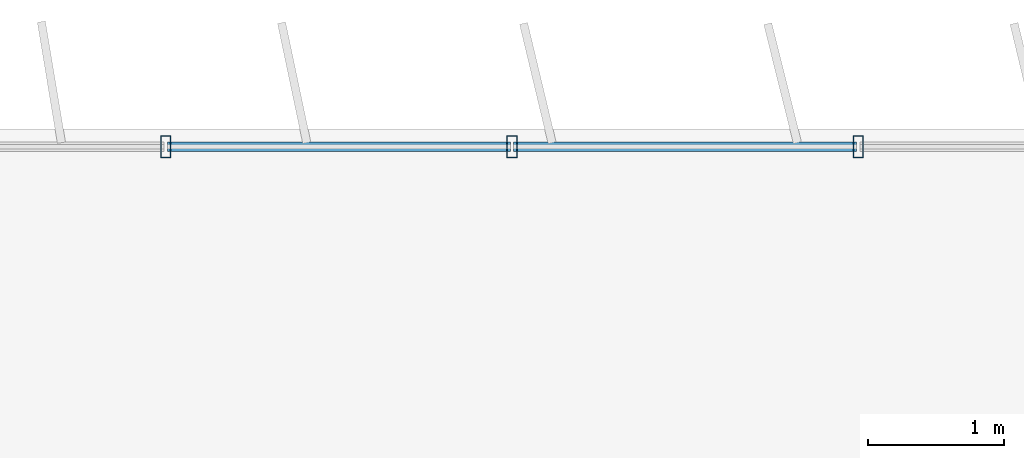
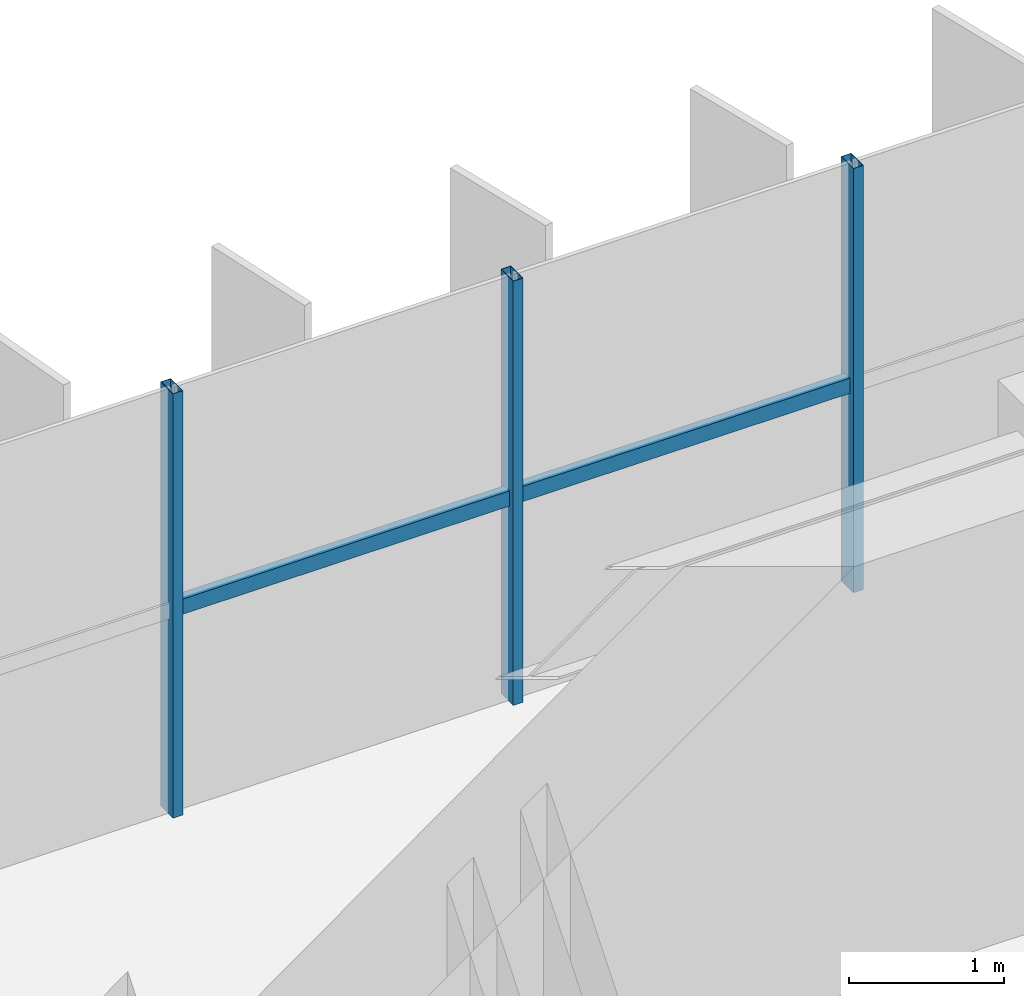
# One storey, part 6 of 20: 5 members, 1 element without a shape of its own.
"""IFC4 building model written with IfcOpenShell, lengths in metres."""

from ifc_helpers import new_model, si_unit, direction, frame, origin, origin_2d, place, context, subcontext, project, spatial, hollow_rectangle, extrude, source, transform, mapped, material, material_profile, profile_set, type_object, element, aggregate, save


model = new_model("IFC4")

# Units and contexts
model_context = context("Model", 3, precision=1e-05, world=origin(), true_north=direction((0.0, 1.0)))
body_context = subcontext(model_context, "Body", "Model", "MODEL_VIEW")
ifc_project = project(units=[si_unit("LENGTHUNIT", "METRE"), si_unit("AREAUNIT", "SQUARE_METRE"), si_unit("VOLUMEUNIT", "CUBIC_METRE"), si_unit("PLANEANGLEUNIT", "RADIAN"), si_unit("MASSUNIT", "GRAM", prefix="KILO")], contexts=[model_context])

# Site, building, storey
site_placement = place(None, origin())
site = spatial("IfcSite", under=ifc_project, at=site_placement, CompositionType="ELEMENT")
building_placement = place(site_placement, origin())
building = spatial("IfcBuilding", under=site, at=building_placement, Name="Trelvane Seafront Commons", CompositionType="ELEMENT")
storey_placement = place(building_placement, frame((0.0, 0.0, 171.699951171875)))
storey = spatial("IfcBuildingStorey", under=building, at=storey_placement, Name="L45", CompositionType="ELEMENT", Elevation=171.699951171875)

# Curtain wall, members
ifc_material = material(Name="Anodised pale-silver aluminium", Category="aluminium")
curtain_wall_type = type_object("IfcCurtainWallType", Name="ARCH-CW5-UPTOWER", PredefinedType="NOTDEFINED", material=ifc_material)
curtain_wall_placement = place(storey_placement, origin())
curtain_wall = element("IfcCurtainWall", 1, at=curtain_wall_placement, inside=storey, type_object=curtain_wall_type, Name="CW-L45-0072", PredefinedType="NOTDEFINED")
ifc_material_profile_1 = material_profile(ifc_material, hollow_rectangle(XDim=0.070068359375, YDim=0.1201171875, WallThickness=0.00390625, at=origin_2d()), Name="TRAN-70x120x4")
ifc_profile_set_1 = profile_set([ifc_material_profile_1], Name="Anodised pale-silver aluminium")
member_type_1 = type_object("IfcMemberType", Name="ARCH-CW-TRAN-120", PredefinedType="USERDEFINED", material=ifc_profile_set_1)
shared_shape_1 = source(origin(), body_context, "Body", "SweptSolid", [
    extrude(hollow_rectangle(XDim=0.070068359375, YDim=0.1201171875, WallThickness=0.00390625, at=origin_2d()), origin(), (0.0, 0.0, 1.0), 2.517333984375),
])
member_1_placement = place(storey_placement, frame((25.776611328125, 48.3701171875, 1.608154296875), z_axis=(1.0, 0.0, 0.0), x_axis=(0.0, 1.0, 0.0)))
member_1 = element("IfcMember", 2, at=member_1_placement, type_object=member_type_1, Name="CW-L45-0072-T04", ObjectType="TRANSOM", PredefinedType="USERDEFINED", context=body_context, shape_type="MappedRepresentation", body=[
    mapped(shared_shape_1, transform((0.0, 0.0, 0.0), x_axis=(1.0, 0.0, 0.0), y_axis=(0.0, 1.0, 0.0), z_axis=(0.0, 0.0, 1.0), scale=1.0)),
])
member_2_placement = place(storey_placement, frame((28.31787109375, 48.3701171875, 1.608154296875), z_axis=(1.0, 0.0, 0.0), x_axis=(0.0, 1.0, 0.0)))
member_2 = element("IfcMember", 3, at=member_2_placement, type_object=member_type_1, Name="CW-L45-0072-T05", ObjectType="TRANSOM", PredefinedType="USERDEFINED", context=body_context, shape_type="MappedRepresentation", body=[
    mapped(shared_shape_1, transform((0.0, 0.0, 0.0), x_axis=(1.0, 0.0, 0.0), y_axis=(0.0, 1.0, 0.0), z_axis=(0.0, 0.0, 1.0), scale=1.0)),
])
ifc_material_profile_2 = material_profile(ifc_material, hollow_rectangle(XDim=0.074951171875, YDim=0.159912109375, WallThickness=0.00390625, at=origin_2d()), Name="MULL-75x160x4")
ifc_profile_set_2 = profile_set([ifc_material_profile_2], Name="Anodised pale-silver aluminium")
member_type_2 = type_object("IfcMemberType", Name="ARCH-CW-MULL-160", PredefinedType="MULLION", material=ifc_profile_set_2)
shared_shape_2 = source(origin(), body_context, "Body", "SweptSolid", [
    extrude(hollow_rectangle(XDim=0.074951171875, YDim=0.159912109375, WallThickness=0.00390625, at=origin_2d()), origin(), (0.0, 0.0, 1.0), 3.35009765625),
])
member_3_placement = place(storey_placement, frame((25.7646484375, 48.3701171875, 0.0), z_axis=(0.0, 0.0, 1.0), x_axis=(1.0, 0.0, 0.0)))
member_3 = element("IfcMember", 4, at=member_3_placement, type_object=member_type_2, Name="CW-L45-0072-M04", PredefinedType="MULLION", context=body_context, shape_type="MappedRepresentation", body=[
    mapped(shared_shape_2, transform((0.0, 0.0, 0.0), x_axis=(1.0, 0.0, 0.0), y_axis=(0.0, 1.0, 0.0), z_axis=(0.0, 0.0, 1.0), scale=1.0)),
])
member_4_placement = place(storey_placement, frame((28.305908203125, 48.3701171875, 0.0), z_axis=(0.0, 0.0, 1.0), x_axis=(1.0, 0.0, 0.0)))
member_4 = element("IfcMember", 5, at=member_4_placement, type_object=member_type_2, Name="CW-L45-0072-M05", PredefinedType="MULLION", context=body_context, shape_type="MappedRepresentation", body=[
    mapped(shared_shape_2, transform((0.0, 0.0, 0.0), x_axis=(1.0, 0.0, 0.0), y_axis=(0.0, 1.0, 0.0), z_axis=(0.0, 0.0, 1.0), scale=1.0)),
])
member_5_placement = place(storey_placement, frame((30.84716796875, 48.3701171875, 0.0), z_axis=(0.0, 0.0, 1.0), x_axis=(1.0, 0.0, 0.0)))
member_5 = element("IfcMember", 6, at=member_5_placement, type_object=member_type_2, Name="CW-L45-0072-M06", PredefinedType="MULLION", context=body_context, shape_type="MappedRepresentation", body=[
    mapped(shared_shape_2, transform((0.0, 0.0, 0.0), x_axis=(1.0, 0.0, 0.0), y_axis=(0.0, 1.0, 0.0), z_axis=(0.0, 0.0, 1.0), scale=1.0)),
])
aggregate(curtain_wall, [member_3, member_4, member_5, member_1, member_2])

save(model, "model.ifc")
